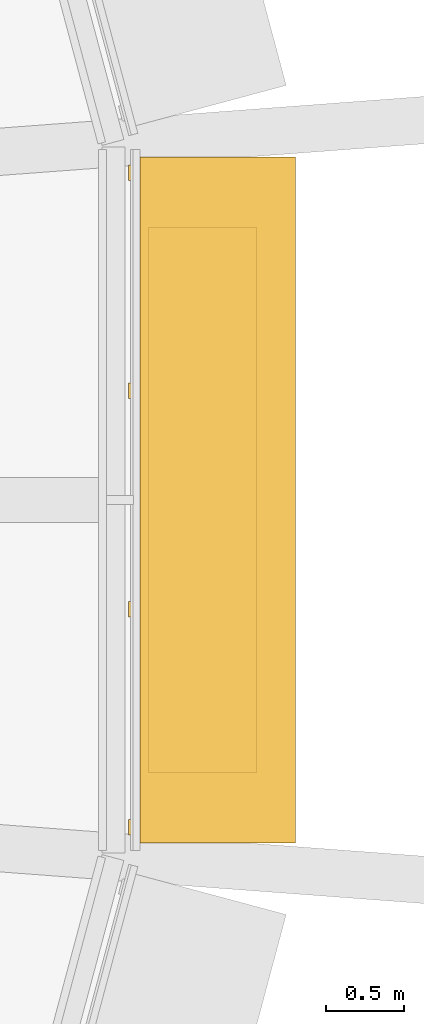
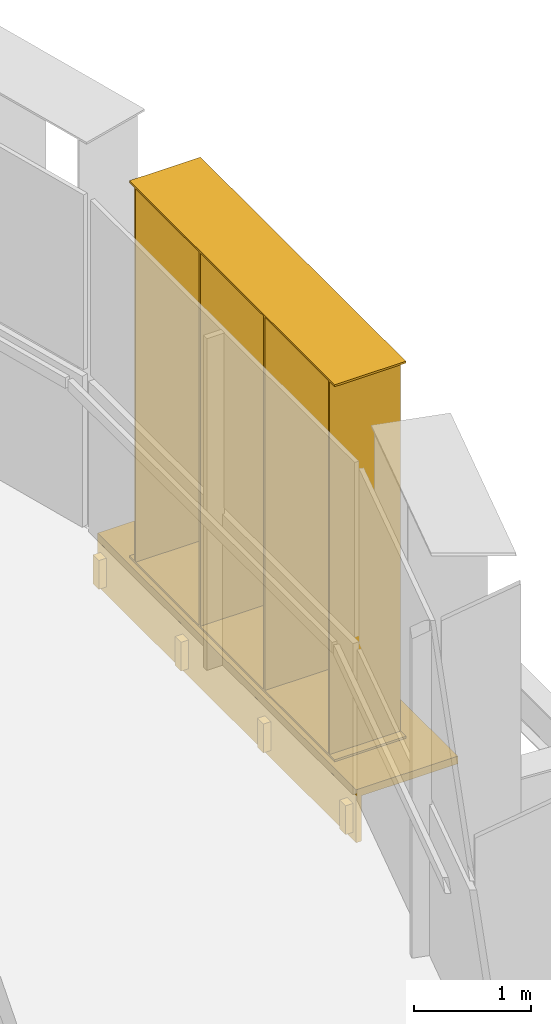
# One storey, part 22 of 22: 2 shading devices.
"""IFC4 building model written with IfcOpenShell, lengths in metres."""

from ifc_helpers import new_model, si_unit, direction, frame, origin, origin_2d, place, context, subcontext, project, spatial, rectangle, extrude, material, type_object, element, save


model = new_model("IFC4")

# Units and contexts
model_context = context("Model", 3, precision=1e-05, world=origin(), true_north=direction((0.0, 1.0)))
body_context = subcontext(model_context, "Body", "Model", "MODEL_VIEW")
ifc_project = project(units=[si_unit("LENGTHUNIT", "METRE"), si_unit("AREAUNIT", "SQUARE_METRE"), si_unit("VOLUMEUNIT", "CUBIC_METRE"), si_unit("PLANEANGLEUNIT", "RADIAN"), si_unit("MASSUNIT", "GRAM", prefix="KILO")], contexts=[model_context])

# Site, building, storey
site_placement = place(None, origin())
site = spatial("IfcSite", under=ifc_project, at=site_placement, CompositionType="ELEMENT")
building_placement = place(site_placement, origin())
building = spatial("IfcBuilding", under=site, at=building_placement, Name="Sahrelin Media Tower", CompositionType="ELEMENT")
storey_placement = place(building_placement, frame((0.0, 0.0, 189.60009765625)))
storey = spatial("IfcBuildingStorey", under=building, at=storey_placement, Name="L40", CompositionType="ELEMENT", Elevation=189.60009765625)

# Shading devices
ifc_material = material(Name="Champagne anodised aluminium 6063-T6", Category="aluminium")
shading_device_type_1 = type_object("IfcShadingDeviceType", Name="Fin cassette", PredefinedType="USERDEFINED", material=ifc_material)
placement = place(storey_placement, frame((30.827392578125, 0.0, 0.0), z_axis=(0.0, 0.0, 1.0), x_axis=(0.0, -1.0, 0.0)))
element("IfcShadingDevice", 1, at=placement, inside=storey, type_object=shading_device_type_1, Name="L40:FIN:L40-00", ObjectType="FIN", PredefinedType="USERDEFINED", context=body_context, shape_type="SweptSolid", body=[
    extrude(rectangle(XDim=3.5, YDim=0.699951171875, at=origin_2d()), frame((0.0, 0.419921875, 0.0)), (0.0, 0.0, 1.0), 0.02001953125),
    extrude(rectangle(XDim=3.5, YDim=0.699951171875, at=origin_2d()), frame((0.0, 0.419921875, 3.89990234375)), (0.0, 0.0, 1.0), 0.02001953125),
    extrude(rectangle(XDim=0.02001953125, YDim=0.699951171875, at=origin_2d()), frame((-1.64990234375, 0.419921875, 0.010009765625), z_axis=(0.0, 0.0, 1.0), x_axis=(1.0, 0.0, 0.0)), (0.0, 0.0, 1.0), 3.89990234375),
    extrude(rectangle(XDim=0.02001953125, YDim=0.699951171875, at=origin_2d()), frame((-0.550048828125, 0.419921875, 0.010009765625), z_axis=(0.0, 0.0, 1.0), x_axis=(1.0, 0.0, 0.0)), (0.0, 0.0, 1.0), 3.89990234375),
    extrude(rectangle(XDim=0.02001953125, YDim=0.699951171875, at=origin_2d()), frame((0.550048828125, 0.419921875, 0.010009765625), z_axis=(0.0, 0.0, 1.0), x_axis=(1.0, 0.0, 0.0)), (0.0, 0.0, 1.0), 3.89990234375),
    extrude(rectangle(XDim=0.02001953125, YDim=0.699951171875, at=origin_2d()), frame((1.64990234375, 0.419921875, 0.010009765625), z_axis=(0.0, 0.0, 1.0), x_axis=(1.0, 0.0, 0.0)), (0.0, 0.0, 1.0), 3.89990234375),
])
shading_device_type_2 = type_object("IfcShadingDeviceType", Name="Sunshade band", PredefinedType="USERDEFINED", material=ifc_material)
element("IfcShadingDevice", 2, at=placement, inside=storey, type_object=shading_device_type_2, Name="L40:SUN:L40-00", ObjectType="SUNSHADE", PredefinedType="USERDEFINED", context=body_context, shape_type="SweptSolid", body=[
    extrude(rectangle(XDim=4.403564453125, YDim=0.050048828125, at=origin_2d()), frame((0.0, 0.044921875, -0.55126953125)), (0.0, 0.0, 1.0), 0.471435546875),
    extrude(rectangle(XDim=4.403564453125, YDim=1.0, at=origin_2d()), frame((0.0, 0.52001953125, -0.080078125)), (0.0, 0.0, 1.0), 0.080078125),
    extrude(rectangle(XDim=0.10009765625, YDim=0.074951171875, at=origin_2d()), frame((-2.101806640625, -0.017578125, -0.47021484375)), (0.0, 0.0, 1.0), 0.300048828125),
    extrude(rectangle(XDim=0.10009765625, YDim=0.074951171875, at=origin_2d()), frame((-0.70068359375, -0.017578125, -0.47021484375)), (0.0, 0.0, 1.0), 0.300048828125),
    extrude(rectangle(XDim=0.10009765625, YDim=0.074951171875, at=origin_2d()), frame((0.70068359375, -0.017578125, -0.47021484375)), (0.0, 0.0, 1.0), 0.300048828125),
    extrude(rectangle(XDim=0.10009765625, YDim=0.074951171875, at=origin_2d()), frame((2.101806640625, -0.017578125, -0.47021484375)), (0.0, 0.0, 1.0), 0.300048828125),
])

save(model, "model.ifc")
